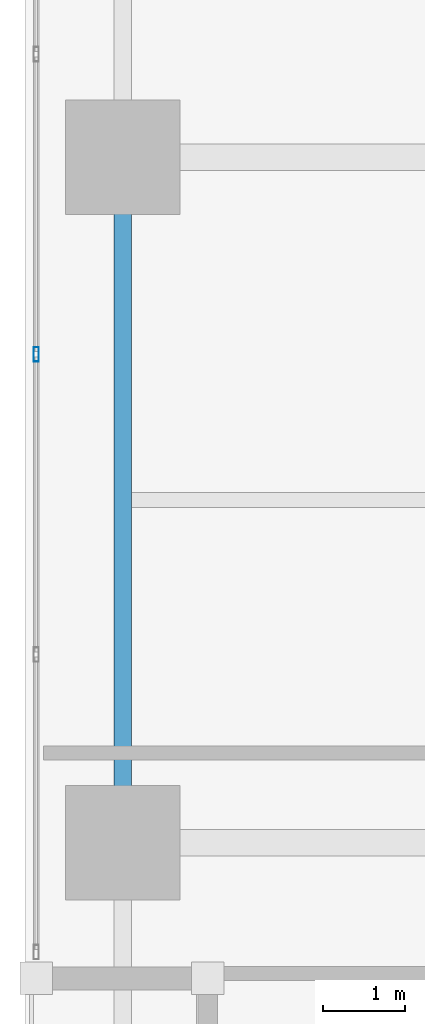
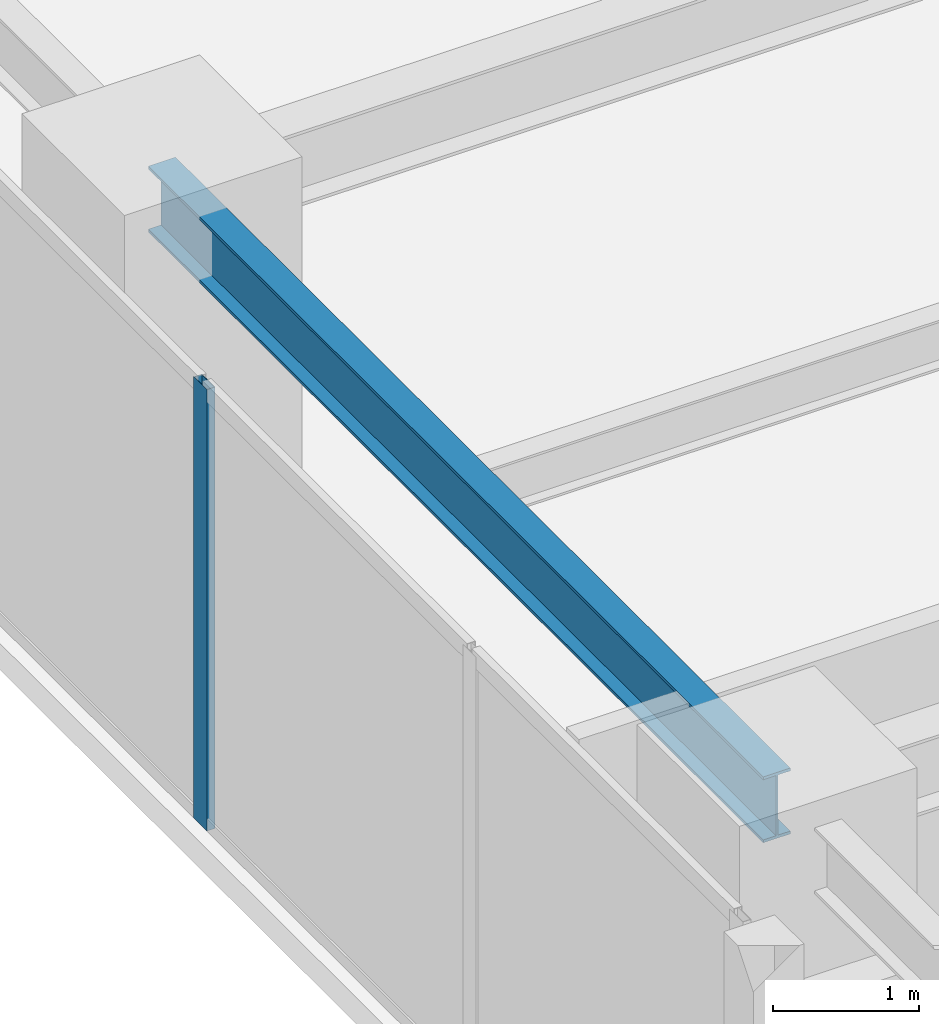
# One storey, part 5 of 30: 1 beam, 1 member, 1 element without a shape of its own.
"""IFC4 building model written with IfcOpenShell, lengths in metres."""

from ifc_helpers import new_model, si_unit, direction, frame, origin, origin_2d, place, context, subcontext, project, spatial, hollow_rectangle, i_section, extrude, material, layer, layer_set, material_profile, profile_set, type_object, element, aggregate, save


model = new_model("IFC4")

# Units and contexts
model_context = context("Model", 3, precision=1e-05, world=origin(), true_north=direction((0.0, 1.0)))
body_context = subcontext(model_context, "Body", "Model", "MODEL_VIEW")
ifc_project = project(units=[si_unit("LENGTHUNIT", "METRE"), si_unit("AREAUNIT", "SQUARE_METRE"), si_unit("VOLUMEUNIT", "CUBIC_METRE"), si_unit("PLANEANGLEUNIT", "RADIAN"), si_unit("MASSUNIT", "GRAM", prefix="KILO")], contexts=[model_context])

# Site, building, storey
site_placement = place(None, origin())
site = spatial("IfcSite", under=ifc_project, at=site_placement, CompositionType="ELEMENT")
building_placement = place(site_placement, origin())
building = spatial("IfcBuilding", under=site, at=building_placement, Name="Kiyonajd Concourse Tower", CompositionType="ELEMENT")
storey_placement = place(building_placement, frame((0.0, 0.0, 150.60009765625)))
storey = spatial("IfcBuildingStorey", under=building, at=storey_placement, Name="L38", CompositionType="ELEMENT", Elevation=150.60009765625)

# Beam
ifc_material_1 = material(Name="Steel ASTM A992 Grade 50", Category="steel")
ifc_material_profile_1 = material_profile(ifc_material_1, i_section(OverallWidth=0.214111328125, OverallDepth=0.549072265625, WebThickness=0.0146484375, FlangeThickness=0.023681640625, at=origin_2d()), Name="W530X138")
ifc_profile_set_1 = profile_set([ifc_material_profile_1], Name="Steel ASTM A992 Grade 50")
beam_type = type_object("IfcBeamType", Name="BM-SPAN-530A", PredefinedType="SPANDREL", material=ifc_profile_set_1)
beam_placement = place(storey_placement, frame((19.199951171875, 44.39990234375, 3.405517578125), z_axis=(0.0, -1.0, 0.0), x_axis=(1.0, 0.0, 0.0)))
element("IfcBeam", 1, at=beam_placement, inside=storey, type_object=beam_type, Name="L38 Perimeter Bundled Tube Spandrel", PredefinedType="SPANDREL", context=body_context, shape_type="SweptSolid", body=[
    extrude(i_section(OverallWidth=0.214111328125, OverallDepth=0.549072265625, WebThickness=0.0146484375, FlangeThickness=0.023681640625, at=origin_2d()), origin(), (0.0, 0.0, 1.0), 8.39990234375),
])

# Curtain wall, member
ifc_material_2 = material(Name="Thermally Broken Anodised Aluminium", Category="aluminium")
ifc_layer = layer(ifc_material_2, 0.179931640625)
ifc_layer_set = layer_set([ifc_layer], Name="Thermally Broken Anodised Aluminium")
curtain_wall_type = type_object("IfcCurtainWallType", Name="CW-SYS-03", PredefinedType="NOTDEFINED", material=ifc_layer_set)
curtain_wall_placement = place(storey_placement, origin())
curtain_wall = element("IfcCurtainWall", 2, at=curtain_wall_placement, inside=storey, type_object=curtain_wall_type, Name="L38 Unitised Curtain Wall CW3", PredefinedType="NOTDEFINED")
ifc_material_profile_2 = material_profile(ifc_material_2, hollow_rectangle(XDim=0.06494140625, YDim=0.179931640625, WallThickness=0.00390625, at=origin_2d()), Name="MULL-65x180")
ifc_profile_set_2 = profile_set([ifc_material_profile_2], Name="Thermally Broken Anodised Aluminium")
member_type = type_object("IfcMemberType", Name="MB-CW-MULL1", PredefinedType="MULLION", material=ifc_profile_set_2)
member_placement = place(storey_placement, frame((18.139892578125, 41.98388671875, 0.0), z_axis=(0.0, 0.0, 1.0), x_axis=(-1.0, 0.0, 0.0)))
member = element("IfcMember", 3, at=member_placement, type_object=member_type, Name="CW3 mullion 3", PredefinedType="MULLION", context=body_context, shape_type="SweptSolid", body=[
    extrude(hollow_rectangle(XDim=0.06494140625, YDim=0.179931640625, WallThickness=0.00390625, at=origin_2d()), origin(), (0.0, 0.0, 1.0), 3.679931640625),
])
aggregate(curtain_wall, [member])

save(model, "model.ifc")
